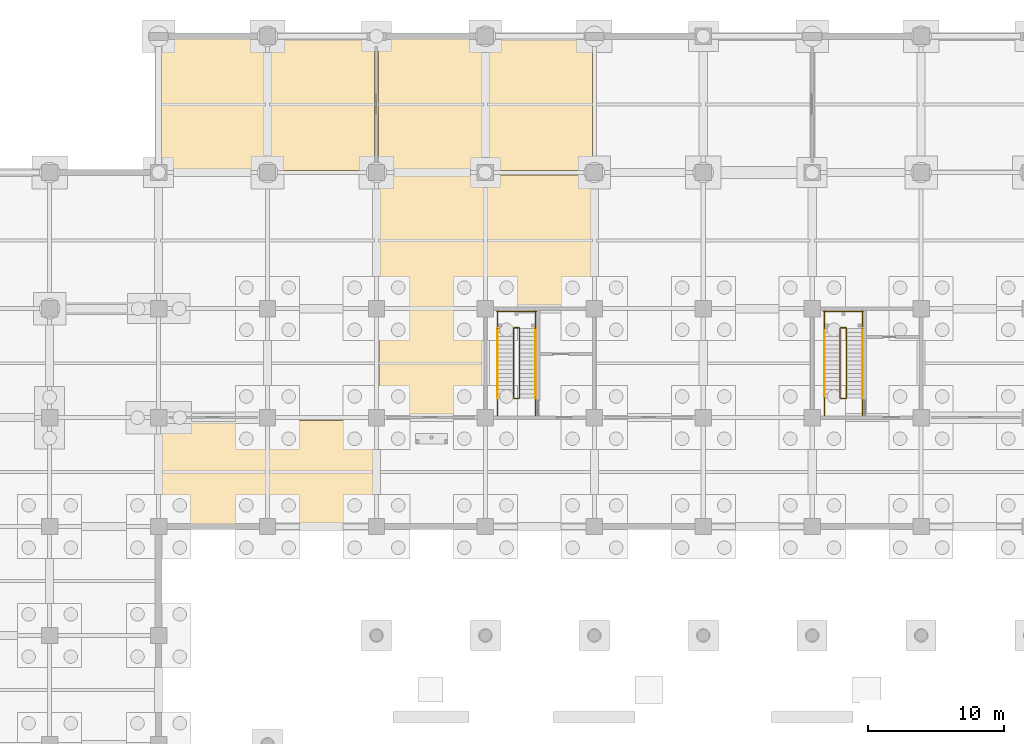
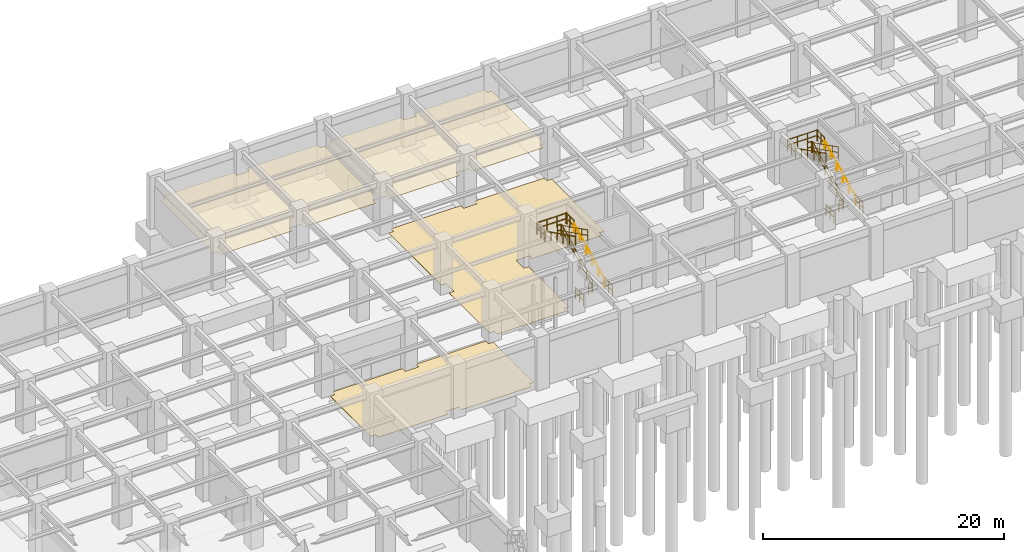
# One storey, part 96 of 97: 22 railings, 4 coverings.
"""IFC4 building model written with IfcOpenShell, lengths in metres."""

import ifcopenshell
import ifcopenshell.guid

model = None  # the IFC model being written
_history = None  # IfcOwnerHistory: only IFC2X3 demands one
_inside = {}  # id of a spatial element -> (the spatial element, [elements in it])
_under = {}  # id of a project, library or spatial element -> (it, [spatial elements below it])
_declared = {}  # id of a project -> (the project, [libraries it declares])
_typed = {}  # id of a type object -> (the type object, [elements of that type])
_made_of = {}  # id of a material, layer set ... -> (it, [elements and type objects made of it])


def new_model(schema):
    """Start an empty IFC model of exactly this schema.

    Asked for "IFC4X3", IfcOpenShell would pick the latest addendum, in which some entities
    have other attributes; the version numbers below select the first issue.
    IFC2X3 requires an IfcOwnerHistory on every rooted entity: one is made here for all.
    """
    global model, _history
    if schema == "IFC4X3":
        model = ifcopenshell.file(schema_version=(4, 3, 0, 0))
    else:
        model = ifcopenshell.file(schema=schema)
    _inside.clear()
    _under.clear()
    _declared.clear()
    _typed.clear()
    _made_of.clear()
    _history = None
    if model.schema == "IFC2X3":
        org = make("IfcOrganization", Name="unknown")
        user = make(
            "IfcPersonAndOrganization",
            ThePerson=make("IfcPerson", FamilyName="unknown"),
            TheOrganization=org,
        )
        app = make(
            "IfcApplication",
            ApplicationDeveloper=org,
            Version="unknown",
            ApplicationFullName="unknown",
            ApplicationIdentifier="unknown",
        )
        _history = make(
            "IfcOwnerHistory",
            OwningUser=user,
            OwningApplication=app,
            ChangeAction="ADDED",
            CreationDate=0,
        )
    return model


def make(cls, **values):
    """One entity of the class cls with the attributes given. An attribute that is None is left unset."""
    return model.create_entity(
        cls, **{name: value for name, value in values.items() if value is not None}
    )


def rooted(cls, **values):
    """An entity with a GlobalId (a new one), such as an element, a storey or a relation."""
    return make(cls, GlobalId=ifcopenshell.guid.new(), OwnerHistory=_history, **values)


def si_unit(unit_type, name, prefix=None):
    """IfcSIUnit, for example si_unit("LENGTHUNIT", "METRE", prefix="MILLI")."""
    return make("IfcSIUnit", UnitType=unit_type, Prefix=prefix, Name=name)


def assignment(units):
    """IfcUnitAssignment: the units of a project."""
    return None if units is None else make("IfcUnitAssignment", Units=units)


def point(xyz):
    """IfcCartesianPoint."""
    return None if xyz is None else make("IfcCartesianPoint", Coordinates=xyz)


def direction(xyz):
    """IfcDirection."""
    return None if xyz is None else make("IfcDirection", DirectionRatios=xyz)


def frame(location, z_axis=None, x_axis=None):
    """IfcAxis2Placement3D, a coordinate frame: its origin and axes. An axis left out is left unset."""
    return make(
        "IfcAxis2Placement3D",
        Location=point(location),
        Axis=direction(z_axis),
        RefDirection=direction(x_axis),
    )


def frame_2d(location, x_axis=None):
    """IfcAxis2Placement2D, a coordinate frame in the plane: its origin and x axis."""
    return make(
        "IfcAxis2Placement2D", Location=point(location), RefDirection=direction(x_axis)
    )


def origin():
    """The frame at (0, 0, 0) with its axes left unset."""
    return frame((0.0, 0.0, 0.0))


def origin_2d():
    """The frame at (0, 0) in the plane with its x axis left unset."""
    return frame_2d((0.0, 0.0))


def place(relative_to, where):
    """IfcLocalPlacement: puts the frame where relative to a parent placement (None: the world)."""
    return make(
        "IfcLocalPlacement", PlacementRelTo=relative_to, RelativePlacement=where
    )


def context(
    kind, dimensions, precision=None, world=None, true_north=None, identifier=None
):
    """IfcGeometricRepresentationContext, for example the 3D "Model" context."""
    return make(
        "IfcGeometricRepresentationContext",
        ContextIdentifier=identifier,
        ContextType=kind,
        CoordinateSpaceDimension=dimensions,
        Precision=precision,
        WorldCoordinateSystem=world,
        TrueNorth=true_north,
    )


def subcontext(parent, identifier, kind, view, scale=None):
    """IfcGeometricRepresentationSubContext, for example "Body" below "Model"."""
    return make(
        "IfcGeometricRepresentationSubContext",
        ContextIdentifier=identifier,
        ContextType=kind,
        ParentContext=parent,
        TargetScale=scale,
        TargetView=view,
    )


def project(units=None, contexts=None):
    """IfcProject with its units and contexts."""
    return rooted(
        "IfcProject",
        Name="project",
        RepresentationContexts=contexts,
        UnitsInContext=assignment(units),
    )


def spatial(cls, under=None, at=None, **own):
    """A site, building, storey or space (cls), placed at a placement, below another one or the project."""
    s = rooted(cls, ObjectPlacement=at, **own)
    if under is not None:
        _under.setdefault(under.id(), (under, []))[1].append(s)
    return s


def polyline(points):
    """IfcPolyline through the points."""
    return make("IfcPolyline", Points=[point(p) for p in points])


def profile(cls, at=None, kind="AREA", **sizes):
    """A parametric profile (cls). Its sizes go by their IFC names, for example OverallWidth=200.0."""
    return make(cls, ProfileType=kind, Position=at, **sizes)


def circle(**sizes):
    """IfcCircleProfileDef."""
    return profile("IfcCircleProfileDef", **sizes)


def outline(outer, holes=None, kind="AREA"):
    """IfcArbitraryClosedProfileDef: a profile drawn as a closed curve; with holes, ...WithVoids."""
    if holes is None:
        return make("IfcArbitraryClosedProfileDef", ProfileType=kind, OuterCurve=outer)
    return make(
        "IfcArbitraryProfileDefWithVoids",
        ProfileType=kind,
        OuterCurve=outer,
        InnerCurves=holes,
    )


def extrude(swept, where, along, depth):
    """IfcExtrudedAreaSolid: the profile swept, set in the frame where, extruded along a direction by depth."""
    return make(
        "IfcExtrudedAreaSolid",
        SweptArea=swept,
        Position=where,
        ExtrudedDirection=direction(along),
        Depth=depth,
    )


def shape(context_of_items, identifier, shape_type, items):
    """IfcShapeRepresentation: the items that make up one representation, for example the "Body"."""
    return make(
        "IfcShapeRepresentation",
        ContextOfItems=context_of_items,
        RepresentationIdentifier=identifier,
        RepresentationType=shape_type,
        Items=items,
    )


def material(Name=None, Category=None):
    """IfcMaterial."""
    return make("IfcMaterial", Name=Name, Category=Category)


def layer(
    of_material, thickness, ventilated=None, Name=None, Category=None, Priority=None
):
    """IfcMaterialLayer: one layer of a wall or slab, of a material (None: an air gap)."""
    return make(
        "IfcMaterialLayer",
        Material=of_material,
        LayerThickness=thickness,
        IsVentilated=ventilated,
        Name=Name,
        Category=Category,
        Priority=Priority,
    )


def layer_set(layers, Name=None):
    """IfcMaterialLayerSet."""
    return make("IfcMaterialLayerSet", MaterialLayers=layers, LayerSetName=Name)


def made_of(thing, what):
    """Note that an element or type object is made of a material, layer set ...; save() writes the relation."""
    if what is not None:
        _made_of.setdefault(what.id(), (what, []))[1].append(thing)
    return thing


def type_object(cls, material=None, **own):
    """A type object (cls), such as IfcWallType, which elements share."""
    return made_of(rooted(cls, **own), material)


def element(
    cls,
    number,
    at=None,
    inside=None,
    cuts=None,
    type_object=None,
    material=None,
    context=None,
    identifier="Body",
    shape_type=None,
    held_by="IfcProductDefinitionShape",
    body=None,
    shapes=None,
    **own,
):
    """One element of the class cls, such as IfcWall. Its Tag is "e" and its number.

    at: its placement. inside: the storey or other place that contains it. cuts: it is an
    opening in that element (IfcRelVoidsElement). A single representation is given by context,
    identifier, shape_type and body (its items); several are given by shapes. held_by: the class
    of the entity that holds the representations. save() writes the other relations.
    """
    e = rooted(cls, Tag="e%d" % number, ObjectPlacement=at, **own)
    if body is not None:
        shapes = [shape(context, identifier, shape_type, body)]
    if shapes is not None:
        e.Representation = make(held_by, Representations=shapes)
    if inside is not None:
        _inside.setdefault(inside.id(), (inside, []))[1].append(e)
    if cuts is not None:
        rooted(
            "IfcRelVoidsElement", RelatingBuildingElement=cuts, RelatedOpeningElement=e
        )
    if type_object is not None:
        _typed.setdefault(type_object.id(), (type_object, []))[1].append(e)
    return made_of(e, material)


def aggregate(whole, parts):
    """IfcRelAggregates: a whole, such as a stair, and the parts it consists of."""
    return rooted("IfcRelAggregates", RelatingObject=whole, RelatedObjects=parts)


def save(model, path):
    """Write the relations noted so far, then the file.

    IfcRelAggregates (storeys below a building ...), IfcRelContainedInSpatialStructure (elements
    in a storey), IfcRelDefinesByType, IfcRelAssociatesMaterial and IfcRelDeclares: one each for
    every whole, place, type object, material and project.
    """
    for whole, parts in _under.values():
        aggregate(whole, parts)
    for where, things in _inside.values():
        rooted(
            "IfcRelContainedInSpatialStructure",
            RelatedElements=things,
            RelatingStructure=where,
        )
    for kind, things in _typed.values():
        rooted("IfcRelDefinesByType", RelatedObjects=things, RelatingType=kind)
    for what, things in _made_of.values():
        rooted("IfcRelAssociatesMaterial", RelatedObjects=things, RelatingMaterial=what)
    for by, libraries in _declared.values():
        rooted("IfcRelDeclares", RelatingContext=by, RelatedDefinitions=libraries)
    model.write(path)


model = new_model("IFC4")

# Units and contexts
model_context = context("Model", 3, precision=1e-05, world=origin(), true_north=direction((0.0, 1.0)))
body_context = subcontext(model_context, "Body", "Model", "MODEL_VIEW")
ifc_project = project(units=[si_unit("LENGTHUNIT", "METRE"), si_unit("AREAUNIT", "SQUARE_METRE"), si_unit("VOLUMEUNIT", "CUBIC_METRE"), si_unit("PLANEANGLEUNIT", "RADIAN"), si_unit("MASSUNIT", "GRAM", prefix="KILO")], contexts=[model_context])

# Site, building, storey
site_placement = place(None, origin())
site = spatial("IfcSite", under=ifc_project, at=site_placement, CompositionType="ELEMENT")
building_placement = place(site_placement, origin())
building = spatial("IfcBuilding", under=site, at=building_placement, Name="Haebicheon Civic Stadium", CompositionType="ELEMENT")
storey_placement = place(building_placement, frame((0.0, 0.0, -5.39990234375)))
storey = spatial("IfcBuildingStorey", under=building, at=storey_placement, Name="B1", CompositionType="ELEMENT", Elevation=-5.39990234375)

# Coverings
ifc_material_1 = material(Name="Perforated mineral-fibre acoustic board", Category="gypsum")
ifc_layer_1 = layer(ifc_material_1, 0.0400390625, Name="Perforated mineral-fibre acoustic board")
ifc_layer_set_1 = layer_set([ifc_layer_1], Name="Perforated mineral-fibre acoustic board")
covering_type_1 = type_object("IfcCoveringType", Name="COV-CLG-AC", PredefinedType="CEILING", material=ifc_layer_set_1)
covering_1_placement = place(storey_placement, frame((0.0, 0.0, 2.809814453125)))
element("IfcCovering", 1, at=covering_1_placement, inside=storey, type_object=covering_type_1, material=ifc_layer_set_1, Name="B1 Concourse Beverage Cold Store acoustic ceiling", PredefinedType="CEILING", context=body_context, shape_type="SweptSolid", body=[
    extrude(outline(polyline([(64.14501953125, 187.405029296875), (64.594970703125, 187.405029296875), (64.594970703125, 187.85498046875), (71.405029296875, 187.85498046875), (71.405029296875, 187.405029296875), (72.594970703125, 187.405029296875), (72.594970703125, 187.85498046875), (79.405029296875, 187.85498046875), (79.405029296875, 187.405029296875), (79.85498046875, 187.405029296875), (79.85498046875, 178.594970703125), (79.405029296875, 178.594970703125), (79.405029296875, 178.14501953125), (72.594970703125, 178.14501953125), (72.594970703125, 178.594970703125), (71.405029296875, 178.594970703125), (71.405029296875, 178.14501953125), (64.594970703125, 178.14501953125), (64.594970703125, 178.594970703125), (64.14501953125, 178.594970703125), (64.14501953125, 187.405029296875)])), origin(), (0.0, 0.0, 1.0), 0.0400390625),
])
covering_2_placement = place(storey_placement, frame((0.0, 0.0, 2.809814453125)))
element("IfcCovering", 2, at=covering_2_placement, inside=storey, type_object=covering_type_1, material=ifc_layer_set_1, Name="B1 Electrical Substation Plant acoustic ceiling", PredefinedType="CEILING", context=body_context, shape_type="SweptSolid", body=[
    extrude(outline(polyline([(80.14501953125, 187.405029296875), (80.594970703125, 187.405029296875), (80.594970703125, 187.85498046875), (87.405029296875, 187.85498046875), (87.405029296875, 187.405029296875), (88.594970703125, 187.405029296875), (88.594970703125, 187.85498046875), (95.405029296875, 187.85498046875), (95.405029296875, 187.405029296875), (95.85498046875, 187.405029296875), (95.85498046875, 178.594970703125), (95.405029296875, 178.594970703125), (95.405029296875, 178.14501953125), (88.594970703125, 178.14501953125), (88.594970703125, 178.594970703125), (87.405029296875, 178.594970703125), (87.405029296875, 178.14501953125), (80.594970703125, 178.14501953125), (80.594970703125, 178.594970703125), (80.14501953125, 178.594970703125), (80.14501953125, 187.405029296875)])), origin(), (0.0, 0.0, 1.0), 0.0400390625),
])
ifc_material_2 = material(Name="Quartz epoxy resin mortar", Category="concrete")
ifc_layer_2 = layer(ifc_material_2, 0.030029296875, Name="Quartz epoxy resin mortar")
ifc_layer_set_2 = layer_set([ifc_layer_2], Name="Quartz epoxy resin mortar")
covering_type_2 = type_object("IfcCoveringType", Name="COV-FLR-EPX", PredefinedType="FLOORING", material=ifc_layer_set_2)
covering_3_placement = place(storey_placement, origin())
element("IfcCovering", 3, at=covering_3_placement, inside=storey, type_object=covering_type_2, material=ifc_layer_set_2, Name="B1 Concourse Beverage Cold Store non-slip floor finish", PredefinedType="FLOORING", context=body_context, shape_type="SweptSolid", body=[
    extrude(outline(polyline([(64.199951171875, 159.35009765625), (64.64990234375, 159.35009765625), (64.64990234375, 159.800048828125), (71.35009765625, 159.800048828125), (71.35009765625, 159.35009765625), (72.64990234375, 159.35009765625), (72.64990234375, 159.800048828125), (79.35009765625, 159.800048828125), (79.35009765625, 159.35009765625), (79.800048828125, 159.35009765625), (79.800048828125, 152.64990234375), (79.35009765625, 152.64990234375), (79.35009765625, 152.199951171875), (72.64990234375, 152.199951171875), (72.64990234375, 152.64990234375), (71.35009765625, 152.64990234375), (71.35009765625, 152.199951171875), (64.64990234375, 152.199951171875), (64.64990234375, 152.64990234375), (64.199951171875, 152.64990234375), (64.199951171875, 159.35009765625)])), origin(), (0.0, 0.0, 1.0), 0.02978515625),
])
covering_4_placement = place(storey_placement, origin())
element("IfcCovering", 4, at=covering_4_placement, inside=storey, type_object=covering_type_2, material=ifc_layer_set_2, Name="B1 Stadium Kit and Equipment Store non-slip floor finish", PredefinedType="FLOORING", context=body_context, shape_type="SweptSolid", body=[
    extrude(outline(polyline([(80.64990234375, 160.199951171875), (80.64990234375, 160.64990234375), (80.199951171875, 160.64990234375), (80.199951171875, 167.35009765625), (80.64990234375, 167.35009765625), (80.64990234375, 168.64990234375), (80.199951171875, 168.64990234375), (80.199951171875, 177.35009765625), (80.64990234375, 177.35009765625), (80.64990234375, 177.800048828125), (87.35009765625, 177.800048828125), (87.35009765625, 177.35009765625), (88.64990234375, 177.35009765625), (88.64990234375, 177.800048828125), (95.35009765625, 177.800048828125), (95.35009765625, 177.35009765625), (95.800048828125, 177.35009765625), (95.800048828125, 168.64990234375), (95.35009765625, 168.64990234375), (95.35009765625, 168.199951171875), (88.64990234375, 168.199951171875), (88.64990234375, 168.64990234375), (87.35009765625, 168.64990234375), (87.35009765625, 167.35009765625), (87.800048828125, 167.35009765625), (87.800048828125, 160.64990234375), (87.35009765625, 160.64990234375), (87.35009765625, 160.199951171875), (80.64990234375, 160.199951171875)])), origin(), (0.0, 0.0, 1.0), 0.02978515625),
])

# Railings
ifc_material_3 = material(Name="Galvanised painted steel SM355", Category="steel")
railing_type_1 = type_object("IfcRailingType", Name="RL-GRD-1150", PredefinedType="GUARDRAIL", material=ifc_material_3)
railing_1_placement = place(storey_placement, frame((90.510009765625, 161.449951171875, 0.14990234375)))
element("IfcRailing", 5, at=railing_1_placement, inside=storey, type_object=railing_type_1, material=ifc_material_3, Name="B1 ST-08 stair guard 1", PredefinedType="GUARDRAIL", context=body_context, shape_type="SweptSolid", body=[
    extrude(circle(Radius=0.02392578125, at=origin_2d()), frame((0.0, 0.0, 1.1259765625), z_axis=(0.0, 0.894427191, 0.4472135955), x_axis=(-1.0, 0.0, 0.0)), (0.0, 0.0, 1.0), 5.7021484375),
    extrude(circle(Radius=0.02392578125, at=origin_2d()), frame((0.0, 0.0, 0.574951171875), z_axis=(0.0, 0.894427191, 0.4472135955), x_axis=(-1.0, 0.0, 0.0)), (0.0, 0.0, 1.0), 5.7021484375),
    extrude(circle(Radius=0.02099609375, at=origin_2d()), origin(), (0.0, 0.0, 1.0), 1.101806640625),
    extrude(circle(Radius=0.02099609375, at=origin_2d()), frame((0.0, 1.02001953125, 0.510009765625)), (0.0, 0.0, 1.0), 1.101806640625),
    extrude(circle(Radius=0.02099609375, at=origin_2d()), frame((0.0, 2.0400390625, 1.02001953125)), (0.0, 0.0, 1.0), 1.101806640625),
    extrude(circle(Radius=0.02099609375, at=origin_2d()), frame((0.0, 3.06005859375, 1.530029296875)), (0.0, 0.0, 1.0), 1.101806640625),
    extrude(circle(Radius=0.02099609375, at=origin_2d()), frame((0.0, 4.080078125, 2.0400390625)), (0.0, 0.0, 1.0), 1.101806640625),
    extrude(circle(Radius=0.02099609375, at=origin_2d()), frame((0.0, 5.10009765625, 2.550048828125)), (0.0, 0.0, 1.0), 1.101806640625),
])
railing_2_placement = place(storey_placement, frame((90.4599609375, 166.60009765625, 2.699951171875)))
element("IfcRailing", 6, at=railing_2_placement, inside=storey, type_object=railing_type_1, material=ifc_material_3, Name="B1 ST-08 stair guard 2", PredefinedType="GUARDRAIL", context=body_context, shape_type="SweptSolid", body=[
    extrude(circle(Radius=0.02392578125, at=origin_2d()), frame((0.0, 0.0, 1.1259765625), z_axis=(-1.0, 0.0, 0.0), x_axis=(0.0, -1.0, 0.0)), (0.0, 0.0, 1.0), 0.33984375),
    extrude(circle(Radius=0.02392578125, at=origin_2d()), frame((0.0, 0.0, 0.574951171875), z_axis=(-1.0, 0.0, 0.0), x_axis=(0.0, -1.0, 0.0)), (0.0, 0.0, 1.0), 0.33984375),
    extrude(circle(Radius=0.02099609375, at=origin_2d()), origin(), (0.0, 0.0, 1.0), 1.101806640625),
    extrude(circle(Radius=0.02099609375, at=origin_2d()), frame((-0.33984375, 0.0, 0.0)), (0.0, 0.0, 1.0), 1.101806640625),
])
for number, where, name in (
    (7, (91.68994140625, 166.550048828125, 2.699951171875), "B1 ST-08 stair guard 3"),
    (8, (88.889892578125, 166.550048828125, 2.699951171875), "B1 ST-08 stair guard 4"),
):
    element("IfcRailing", number, at=place(storey_placement, frame(where)), inside=storey, type_object=railing_type_1, material=ifc_material_3, Name=name, PredefinedType="GUARDRAIL", context=body_context, shape_type="SweptSolid", body=[
        extrude(circle(Radius=0.02392578125, at=origin_2d()), frame((0.0, 0.0, 1.1259765625), z_axis=(0.0, 1.0, 0.0), x_axis=(-1.0, 0.0, 0.0)), (0.0, 0.0, 1.0), 1.2900390625),
        extrude(circle(Radius=0.02392578125, at=origin_2d()), frame((0.0, 0.0, 0.574951171875), z_axis=(0.0, 1.0, 0.0), x_axis=(-1.0, 0.0, 0.0)), (0.0, 0.0, 1.0), 1.2900390625),
        extrude(circle(Radius=0.02099609375, at=origin_2d()), origin(), (0.0, 0.0, 1.0), 1.101806640625),
        extrude(circle(Radius=0.02099609375, at=origin_2d()), frame((0.0, 0.64501953125, 0.0)), (0.0, 0.0, 1.0), 1.101806640625),
        extrude(circle(Radius=0.02099609375, at=origin_2d()), frame((0.0, 1.2900390625, 0.0)), (0.0, 0.0, 1.0), 1.101806640625),
    ])
railing_3_placement = place(storey_placement, frame((91.739990234375, 167.7900390625, 2.699951171875)))
element("IfcRailing", 9, at=railing_3_placement, inside=storey, type_object=railing_type_1, material=ifc_material_3, Name="B1 ST-08 stair guard 5", PredefinedType="GUARDRAIL", context=body_context, shape_type="SweptSolid", body=[
    extrude(circle(Radius=0.02392578125, at=origin_2d()), frame((0.0, 0.0, 1.1259765625), z_axis=(-1.0, 0.0, 0.0), x_axis=(0.0, -1.0, 0.0)), (0.0, 0.0, 1.0), 2.89990234375),
    extrude(circle(Radius=0.02392578125, at=origin_2d()), frame((0.0, 0.0, 0.574951171875), z_axis=(-1.0, 0.0, 0.0), x_axis=(0.0, -1.0, 0.0)), (0.0, 0.0, 1.0), 2.89990234375),
    extrude(circle(Radius=0.02099609375, at=origin_2d()), origin(), (0.0, 0.0, 1.0), 1.101806640625),
    extrude(circle(Radius=0.02099609375, at=origin_2d()), frame((-0.966552734375, 0.0, 0.0)), (0.0, 0.0, 1.0), 1.101806640625),
    extrude(circle(Radius=0.02099609375, at=origin_2d()), frame((-1.933349609375, 0.0, 0.0)), (0.0, 0.0, 1.0), 1.101806640625),
    extrude(circle(Radius=0.02099609375, at=origin_2d()), frame((-2.89990234375, 0.0, 0.0)), (0.0, 0.0, 1.0), 1.101806640625),
])
railing_4_placement = place(storey_placement, frame((90.070068359375, 166.550048828125, 2.849853515625)))
element("IfcRailing", 10, at=railing_4_placement, inside=storey, type_object=railing_type_1, material=ifc_material_3, Name="B1 ST-08 stair guard 6", PredefinedType="GUARDRAIL", context=body_context, shape_type="SweptSolid", body=[
    extrude(circle(Radius=0.02392578125, at=origin_2d()), frame((0.0, 0.0, 1.1259765625), z_axis=(0.0, -0.894427191, 0.4472135955), x_axis=(1.0, 0.0, 0.0)), (0.0, 0.0, 1.0), 5.7021484375),
    extrude(circle(Radius=0.02392578125, at=origin_2d()), frame((0.0, 0.0, 0.574951171875), z_axis=(0.0, -0.894427191, 0.4472135955), x_axis=(1.0, 0.0, 0.0)), (0.0, 0.0, 1.0), 5.7021484375),
    extrude(circle(Radius=0.02099609375, at=origin_2d()), origin(), (0.0, 0.0, 1.0), 1.101806640625),
    extrude(circle(Radius=0.02099609375, at=origin_2d()), frame((0.0, -1.02001953125, 0.510009765625)), (0.0, 0.0, 1.0), 1.101806640625),
    extrude(circle(Radius=0.02099609375, at=origin_2d()), frame((0.0, -2.0400390625, 1.02001953125)), (0.0, 0.0, 1.0), 1.101806640625),
    extrude(circle(Radius=0.02099609375, at=origin_2d()), frame((0.0, -3.06005859375, 1.530029296875)), (0.0, 0.0, 1.0), 1.101806640625),
    extrude(circle(Radius=0.02099609375, at=origin_2d()), frame((0.0, -4.080078125, 2.0400390625)), (0.0, 0.0, 1.0), 1.101806640625),
    extrude(circle(Radius=0.02099609375, at=origin_2d()), frame((0.0, -5.10009765625, 2.550048828125)), (0.0, 0.0, 1.0), 1.101806640625),
])
railing_5_placement = place(storey_placement, frame((90.4599609375, 161.39990234375, 0.0)))
element("IfcRailing", 11, at=railing_5_placement, inside=storey, type_object=railing_type_1, material=ifc_material_3, Name="B1 ST-08 stair guard 7", PredefinedType="GUARDRAIL", context=body_context, shape_type="SweptSolid", body=[
    extrude(circle(Radius=0.02392578125, at=origin_2d()), frame((0.0, 0.0, 1.1259765625), z_axis=(-1.0, 0.0, 0.0), x_axis=(0.0, -1.0, 0.0)), (0.0, 0.0, 1.0), 0.33984375),
    extrude(circle(Radius=0.02392578125, at=origin_2d()), frame((0.0, 0.0, 0.574951171875), z_axis=(-1.0, 0.0, 0.0), x_axis=(0.0, -1.0, 0.0)), (0.0, 0.0, 1.0), 0.33984375),
    extrude(circle(Radius=0.02099609375, at=origin_2d()), origin(), (0.0, 0.0, 1.0), 1.101806640625),
    extrude(circle(Radius=0.02099609375, at=origin_2d()), frame((-0.33984375, 0.0, 0.0)), (0.0, 0.0, 1.0), 1.101806640625),
])
for number, where, name in (
    (12, (91.68994140625, 160.159912109375, 0.0), "B1 ST-08 stair guard 8"),
    (13, (88.889892578125, 160.159912109375, 0.0), "B1 ST-08 stair guard 9"),
):
    element("IfcRailing", number, at=place(storey_placement, frame(where)), inside=storey, type_object=railing_type_1, material=ifc_material_3, Name=name, PredefinedType="GUARDRAIL", context=body_context, shape_type="SweptSolid", body=[
        extrude(circle(Radius=0.02392578125, at=origin_2d()), frame((0.0, 0.0, 1.1259765625), z_axis=(0.0, 1.0, 0.0), x_axis=(-1.0, 0.0, 0.0)), (0.0, 0.0, 1.0), 1.2900390625),
        extrude(circle(Radius=0.02392578125, at=origin_2d()), frame((0.0, 0.0, 0.574951171875), z_axis=(0.0, 1.0, 0.0), x_axis=(-1.0, 0.0, 0.0)), (0.0, 0.0, 1.0), 1.2900390625),
        extrude(circle(Radius=0.02099609375, at=origin_2d()), origin(), (0.0, 0.0, 1.0), 1.101806640625),
        extrude(circle(Radius=0.02099609375, at=origin_2d()), frame((0.0, 0.64501953125, 0.0)), (0.0, 0.0, 1.0), 1.101806640625),
        extrude(circle(Radius=0.02099609375, at=origin_2d()), frame((0.0, 1.2900390625, 0.0)), (0.0, 0.0, 1.0), 1.101806640625),
    ])
railing_6_placement = place(storey_placement, frame((114.530029296875, 161.449951171875, 0.14990234375)))
element("IfcRailing", 14, at=railing_6_placement, inside=storey, type_object=railing_type_1, material=ifc_material_3, Name="B1 ST-09 stair guard 1", PredefinedType="GUARDRAIL", context=body_context, shape_type="SweptSolid", body=[
    extrude(circle(Radius=0.02392578125, at=origin_2d()), frame((0.0, 0.0, 1.1259765625), z_axis=(0.0, 0.894427191, 0.4472135955), x_axis=(-1.0, 0.0, 0.0)), (0.0, 0.0, 1.0), 5.7021484375),
    extrude(circle(Radius=0.02392578125, at=origin_2d()), frame((0.0, 0.0, 0.574951171875), z_axis=(0.0, 0.894427191, 0.4472135955), x_axis=(-1.0, 0.0, 0.0)), (0.0, 0.0, 1.0), 5.7021484375),
    extrude(circle(Radius=0.02099609375, at=origin_2d()), origin(), (0.0, 0.0, 1.0), 1.101806640625),
    extrude(circle(Radius=0.02099609375, at=origin_2d()), frame((0.0, 1.02001953125, 0.510009765625)), (0.0, 0.0, 1.0), 1.101806640625),
    extrude(circle(Radius=0.02099609375, at=origin_2d()), frame((0.0, 2.0400390625, 1.02001953125)), (0.0, 0.0, 1.0), 1.101806640625),
    extrude(circle(Radius=0.02099609375, at=origin_2d()), frame((0.0, 3.06005859375, 1.530029296875)), (0.0, 0.0, 1.0), 1.101806640625),
    extrude(circle(Radius=0.02099609375, at=origin_2d()), frame((0.0, 4.080078125, 2.0400390625)), (0.0, 0.0, 1.0), 1.101806640625),
    extrude(circle(Radius=0.02099609375, at=origin_2d()), frame((0.0, 5.10009765625, 2.550048828125)), (0.0, 0.0, 1.0), 1.101806640625),
])
railing_7_placement = place(storey_placement, frame((114.47998046875, 166.60009765625, 2.699951171875)))
element("IfcRailing", 15, at=railing_7_placement, inside=storey, type_object=railing_type_1, material=ifc_material_3, Name="B1 ST-09 stair guard 2", PredefinedType="GUARDRAIL", context=body_context, shape_type="SweptSolid", body=[
    extrude(circle(Radius=0.02392578125, at=origin_2d()), frame((0.0, 0.0, 1.1259765625), z_axis=(-1.0, 0.0, 0.0), x_axis=(0.0, -1.0, 0.0)), (0.0, 0.0, 1.0), 0.3798828125),
    extrude(circle(Radius=0.02392578125, at=origin_2d()), frame((0.0, 0.0, 0.574951171875), z_axis=(-1.0, 0.0, 0.0), x_axis=(0.0, -1.0, 0.0)), (0.0, 0.0, 1.0), 0.3798828125),
    extrude(circle(Radius=0.02099609375, at=origin_2d()), origin(), (0.0, 0.0, 1.0), 1.101806640625),
    extrude(circle(Radius=0.02099609375, at=origin_2d()), frame((-0.3798828125, 0.0, 0.0)), (0.0, 0.0, 1.0), 1.101806640625),
])
for number, where, name in (
    (16, (115.68994140625, 166.550048828125, 2.699951171875), "B1 ST-09 stair guard 3"),
    (17, (112.889892578125, 166.550048828125, 2.699951171875), "B1 ST-09 stair guard 4"),
):
    element("IfcRailing", number, at=place(storey_placement, frame(where)), inside=storey, type_object=railing_type_1, material=ifc_material_3, Name=name, PredefinedType="GUARDRAIL", context=body_context, shape_type="SweptSolid", body=[
        extrude(circle(Radius=0.02392578125, at=origin_2d()), frame((0.0, 0.0, 1.1259765625), z_axis=(0.0, 1.0, 0.0), x_axis=(-1.0, 0.0, 0.0)), (0.0, 0.0, 1.0), 1.2900390625),
        extrude(circle(Radius=0.02392578125, at=origin_2d()), frame((0.0, 0.0, 0.574951171875), z_axis=(0.0, 1.0, 0.0), x_axis=(-1.0, 0.0, 0.0)), (0.0, 0.0, 1.0), 1.2900390625),
        extrude(circle(Radius=0.02099609375, at=origin_2d()), origin(), (0.0, 0.0, 1.0), 1.101806640625),
        extrude(circle(Radius=0.02099609375, at=origin_2d()), frame((0.0, 0.64501953125, 0.0)), (0.0, 0.0, 1.0), 1.101806640625),
        extrude(circle(Radius=0.02099609375, at=origin_2d()), frame((0.0, 1.2900390625, 0.0)), (0.0, 0.0, 1.0), 1.101806640625),
    ])
railing_8_placement = place(storey_placement, frame((115.739990234375, 167.7900390625, 2.699951171875)))
element("IfcRailing", 18, at=railing_8_placement, inside=storey, type_object=railing_type_1, material=ifc_material_3, Name="B1 ST-09 stair guard 5", PredefinedType="GUARDRAIL", context=body_context, shape_type="SweptSolid", body=[
    extrude(circle(Radius=0.02392578125, at=origin_2d()), frame((0.0, 0.0, 1.1259765625), z_axis=(-1.0, 0.0, 0.0), x_axis=(0.0, -1.0, 0.0)), (0.0, 0.0, 1.0), 2.89990234375),
    extrude(circle(Radius=0.02392578125, at=origin_2d()), frame((0.0, 0.0, 0.574951171875), z_axis=(-1.0, 0.0, 0.0), x_axis=(0.0, -1.0, 0.0)), (0.0, 0.0, 1.0), 2.89990234375),
    extrude(circle(Radius=0.02099609375, at=origin_2d()), origin(), (0.0, 0.0, 1.0), 1.101806640625),
    extrude(circle(Radius=0.02099609375, at=origin_2d()), frame((-0.966552734375, 0.0, 0.0)), (0.0, 0.0, 1.0), 1.101806640625),
    extrude(circle(Radius=0.02099609375, at=origin_2d()), frame((-1.933349609375, 0.0, 0.0)), (0.0, 0.0, 1.0), 1.101806640625),
    extrude(circle(Radius=0.02099609375, at=origin_2d()), frame((-2.89990234375, 0.0, 0.0)), (0.0, 0.0, 1.0), 1.101806640625),
])
railing_9_placement = place(storey_placement, frame((114.050048828125, 166.550048828125, 2.849853515625)))
element("IfcRailing", 19, at=railing_9_placement, inside=storey, type_object=railing_type_1, material=ifc_material_3, Name="B1 ST-09 stair guard 6", PredefinedType="GUARDRAIL", context=body_context, shape_type="SweptSolid", body=[
    extrude(circle(Radius=0.02392578125, at=origin_2d()), frame((0.0, 0.0, 1.1259765625), z_axis=(0.0, -0.894427191, 0.4472135955), x_axis=(1.0, 0.0, 0.0)), (0.0, 0.0, 1.0), 5.7021484375),
    extrude(circle(Radius=0.02392578125, at=origin_2d()), frame((0.0, 0.0, 0.574951171875), z_axis=(0.0, -0.894427191, 0.4472135955), x_axis=(1.0, 0.0, 0.0)), (0.0, 0.0, 1.0), 5.7021484375),
    extrude(circle(Radius=0.02099609375, at=origin_2d()), origin(), (0.0, 0.0, 1.0), 1.101806640625),
    extrude(circle(Radius=0.02099609375, at=origin_2d()), frame((0.0, -1.02001953125, 0.510009765625)), (0.0, 0.0, 1.0), 1.101806640625),
    extrude(circle(Radius=0.02099609375, at=origin_2d()), frame((0.0, -2.0400390625, 1.02001953125)), (0.0, 0.0, 1.0), 1.101806640625),
    extrude(circle(Radius=0.02099609375, at=origin_2d()), frame((0.0, -3.06005859375, 1.530029296875)), (0.0, 0.0, 1.0), 1.101806640625),
    extrude(circle(Radius=0.02099609375, at=origin_2d()), frame((0.0, -4.080078125, 2.0400390625)), (0.0, 0.0, 1.0), 1.101806640625),
    extrude(circle(Radius=0.02099609375, at=origin_2d()), frame((0.0, -5.10009765625, 2.550048828125)), (0.0, 0.0, 1.0), 1.101806640625),
])
railing_10_placement = place(storey_placement, frame((114.47998046875, 161.39990234375, 0.0)))
element("IfcRailing", 20, at=railing_10_placement, inside=storey, type_object=railing_type_1, material=ifc_material_3, Name="B1 ST-09 stair guard 7", PredefinedType="GUARDRAIL", context=body_context, shape_type="SweptSolid", body=[
    extrude(circle(Radius=0.02392578125, at=origin_2d()), frame((0.0, 0.0, 1.1259765625), z_axis=(-1.0, 0.0, 0.0), x_axis=(0.0, -1.0, 0.0)), (0.0, 0.0, 1.0), 0.3798828125),
    extrude(circle(Radius=0.02392578125, at=origin_2d()), frame((0.0, 0.0, 0.574951171875), z_axis=(-1.0, 0.0, 0.0), x_axis=(0.0, -1.0, 0.0)), (0.0, 0.0, 1.0), 0.3798828125),
    extrude(circle(Radius=0.02099609375, at=origin_2d()), origin(), (0.0, 0.0, 1.0), 1.101806640625),
    extrude(circle(Radius=0.02099609375, at=origin_2d()), frame((-0.3798828125, 0.0, 0.0)), (0.0, 0.0, 1.0), 1.101806640625),
])
for number, where, name in (
    (21, (115.68994140625, 160.159912109375, 0.0), "B1 ST-09 stair guard 8"),
    (22, (112.889892578125, 160.159912109375, 0.0), "B1 ST-09 stair guard 9"),
):
    element("IfcRailing", number, at=place(storey_placement, frame(where)), inside=storey, type_object=railing_type_1, material=ifc_material_3, Name=name, PredefinedType="GUARDRAIL", context=body_context, shape_type="SweptSolid", body=[
        extrude(circle(Radius=0.02392578125, at=origin_2d()), frame((0.0, 0.0, 1.1259765625), z_axis=(0.0, 1.0, 0.0), x_axis=(-1.0, 0.0, 0.0)), (0.0, 0.0, 1.0), 1.2900390625),
        extrude(circle(Radius=0.02392578125, at=origin_2d()), frame((0.0, 0.0, 0.574951171875), z_axis=(0.0, 1.0, 0.0), x_axis=(-1.0, 0.0, 0.0)), (0.0, 0.0, 1.0), 1.2900390625),
        extrude(circle(Radius=0.02099609375, at=origin_2d()), origin(), (0.0, 0.0, 1.0), 1.101806640625),
        extrude(circle(Radius=0.02099609375, at=origin_2d()), frame((0.0, 0.64501953125, 0.0)), (0.0, 0.0, 1.0), 1.101806640625),
        extrude(circle(Radius=0.02099609375, at=origin_2d()), frame((0.0, 1.2900390625, 0.0)), (0.0, 0.0, 1.0), 1.101806640625),
    ])
ifc_material_4 = material(Name="Stainless steel 316", Category="steel")
railing_type_2 = type_object("IfcRailingType", Name="RL-HND-900", PredefinedType="HANDRAIL", material=ifc_material_4)
railing_11_placement = place(storey_placement, frame((91.68994140625, 161.449951171875, 0.14990234375)))
element("IfcRailing", 23, at=railing_11_placement, inside=storey, type_object=railing_type_2, material=ifc_material_4, Name="B1 ST-08 stair handrail 1", PredefinedType="HANDRAIL", context=body_context, shape_type="SweptSolid", body=[
    extrude(circle(Radius=0.02392578125, at=origin_2d()), frame((0.0, 0.0, 0.8759765625), z_axis=(0.0, 0.894427191, 0.4472135955), x_axis=(-1.0, 0.0, 0.0)), (0.0, 0.0, 1.0), 5.7021484375),
    extrude(circle(Radius=0.02099609375, at=origin_2d()), origin(), (0.0, 0.0, 1.0), 0.851806640625),
    extrude(circle(Radius=0.02099609375, at=origin_2d()), frame((0.0, 1.02001953125, 0.510009765625)), (0.0, 0.0, 1.0), 0.851806640625),
    extrude(circle(Radius=0.02099609375, at=origin_2d()), frame((0.0, 2.0400390625, 1.02001953125)), (0.0, 0.0, 1.0), 0.851806640625),
    extrude(circle(Radius=0.02099609375, at=origin_2d()), frame((0.0, 3.06005859375, 1.530029296875)), (0.0, 0.0, 1.0), 0.851806640625),
    extrude(circle(Radius=0.02099609375, at=origin_2d()), frame((0.0, 4.080078125, 2.0400390625)), (0.0, 0.0, 1.0), 0.851806640625),
    extrude(circle(Radius=0.02099609375, at=origin_2d()), frame((0.0, 5.10009765625, 2.550048828125)), (0.0, 0.0, 1.0), 0.851806640625),
])
railing_12_placement = place(storey_placement, frame((88.889892578125, 166.550048828125, 2.849853515625)))
element("IfcRailing", 24, at=railing_12_placement, inside=storey, type_object=railing_type_2, material=ifc_material_4, Name="B1 ST-08 stair handrail 2", PredefinedType="HANDRAIL", context=body_context, shape_type="SweptSolid", body=[
    extrude(circle(Radius=0.02392578125, at=origin_2d()), frame((0.0, 0.0, 0.8759765625), z_axis=(0.0, -0.894427191, 0.4472135955), x_axis=(1.0, 0.0, 0.0)), (0.0, 0.0, 1.0), 5.7021484375),
    extrude(circle(Radius=0.02099609375, at=origin_2d()), origin(), (0.0, 0.0, 1.0), 0.851806640625),
    extrude(circle(Radius=0.02099609375, at=origin_2d()), frame((0.0, -1.02001953125, 0.510009765625)), (0.0, 0.0, 1.0), 0.851806640625),
    extrude(circle(Radius=0.02099609375, at=origin_2d()), frame((0.0, -2.0400390625, 1.02001953125)), (0.0, 0.0, 1.0), 0.851806640625),
    extrude(circle(Radius=0.02099609375, at=origin_2d()), frame((0.0, -3.06005859375, 1.530029296875)), (0.0, 0.0, 1.0), 0.851806640625),
    extrude(circle(Radius=0.02099609375, at=origin_2d()), frame((0.0, -4.080078125, 2.0400390625)), (0.0, 0.0, 1.0), 0.851806640625),
    extrude(circle(Radius=0.02099609375, at=origin_2d()), frame((0.0, -5.10009765625, 2.550048828125)), (0.0, 0.0, 1.0), 0.851806640625),
])
railing_13_placement = place(storey_placement, frame((115.68994140625, 161.449951171875, 0.14990234375)))
element("IfcRailing", 25, at=railing_13_placement, inside=storey, type_object=railing_type_2, material=ifc_material_4, Name="B1 ST-09 stair handrail 1", PredefinedType="HANDRAIL", context=body_context, shape_type="SweptSolid", body=[
    extrude(circle(Radius=0.02392578125, at=origin_2d()), frame((0.0, 0.0, 0.8759765625), z_axis=(0.0, 0.894427191, 0.4472135955), x_axis=(-1.0, 0.0, 0.0)), (0.0, 0.0, 1.0), 5.7021484375),
    extrude(circle(Radius=0.02099609375, at=origin_2d()), origin(), (0.0, 0.0, 1.0), 0.851806640625),
    extrude(circle(Radius=0.02099609375, at=origin_2d()), frame((0.0, 1.02001953125, 0.510009765625)), (0.0, 0.0, 1.0), 0.851806640625),
    extrude(circle(Radius=0.02099609375, at=origin_2d()), frame((0.0, 2.0400390625, 1.02001953125)), (0.0, 0.0, 1.0), 0.851806640625),
    extrude(circle(Radius=0.02099609375, at=origin_2d()), frame((0.0, 3.06005859375, 1.530029296875)), (0.0, 0.0, 1.0), 0.851806640625),
    extrude(circle(Radius=0.02099609375, at=origin_2d()), frame((0.0, 4.080078125, 2.0400390625)), (0.0, 0.0, 1.0), 0.851806640625),
    extrude(circle(Radius=0.02099609375, at=origin_2d()), frame((0.0, 5.10009765625, 2.550048828125)), (0.0, 0.0, 1.0), 0.851806640625),
])
railing_14_placement = place(storey_placement, frame((112.889892578125, 166.550048828125, 2.849853515625)))
element("IfcRailing", 26, at=railing_14_placement, inside=storey, type_object=railing_type_2, material=ifc_material_4, Name="B1 ST-09 stair handrail 2", PredefinedType="HANDRAIL", context=body_context, shape_type="SweptSolid", body=[
    extrude(circle(Radius=0.02392578125, at=origin_2d()), frame((0.0, 0.0, 0.8759765625), z_axis=(0.0, -0.894427191, 0.4472135955), x_axis=(1.0, 0.0, 0.0)), (0.0, 0.0, 1.0), 5.7021484375),
    extrude(circle(Radius=0.02099609375, at=origin_2d()), origin(), (0.0, 0.0, 1.0), 0.851806640625),
    extrude(circle(Radius=0.02099609375, at=origin_2d()), frame((0.0, -1.02001953125, 0.510009765625)), (0.0, 0.0, 1.0), 0.851806640625),
    extrude(circle(Radius=0.02099609375, at=origin_2d()), frame((0.0, -2.0400390625, 1.02001953125)), (0.0, 0.0, 1.0), 0.851806640625),
    extrude(circle(Radius=0.02099609375, at=origin_2d()), frame((0.0, -3.06005859375, 1.530029296875)), (0.0, 0.0, 1.0), 0.851806640625),
    extrude(circle(Radius=0.02099609375, at=origin_2d()), frame((0.0, -4.080078125, 2.0400390625)), (0.0, 0.0, 1.0), 0.851806640625),
    extrude(circle(Radius=0.02099609375, at=origin_2d()), frame((0.0, -5.10009765625, 2.550048828125)), (0.0, 0.0, 1.0), 0.851806640625),
])

save(model, "model.ifc")
